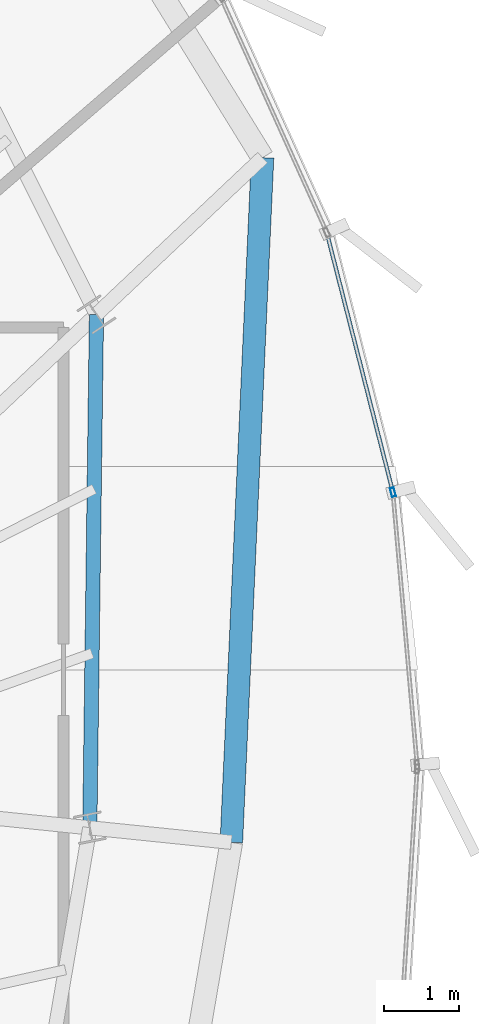
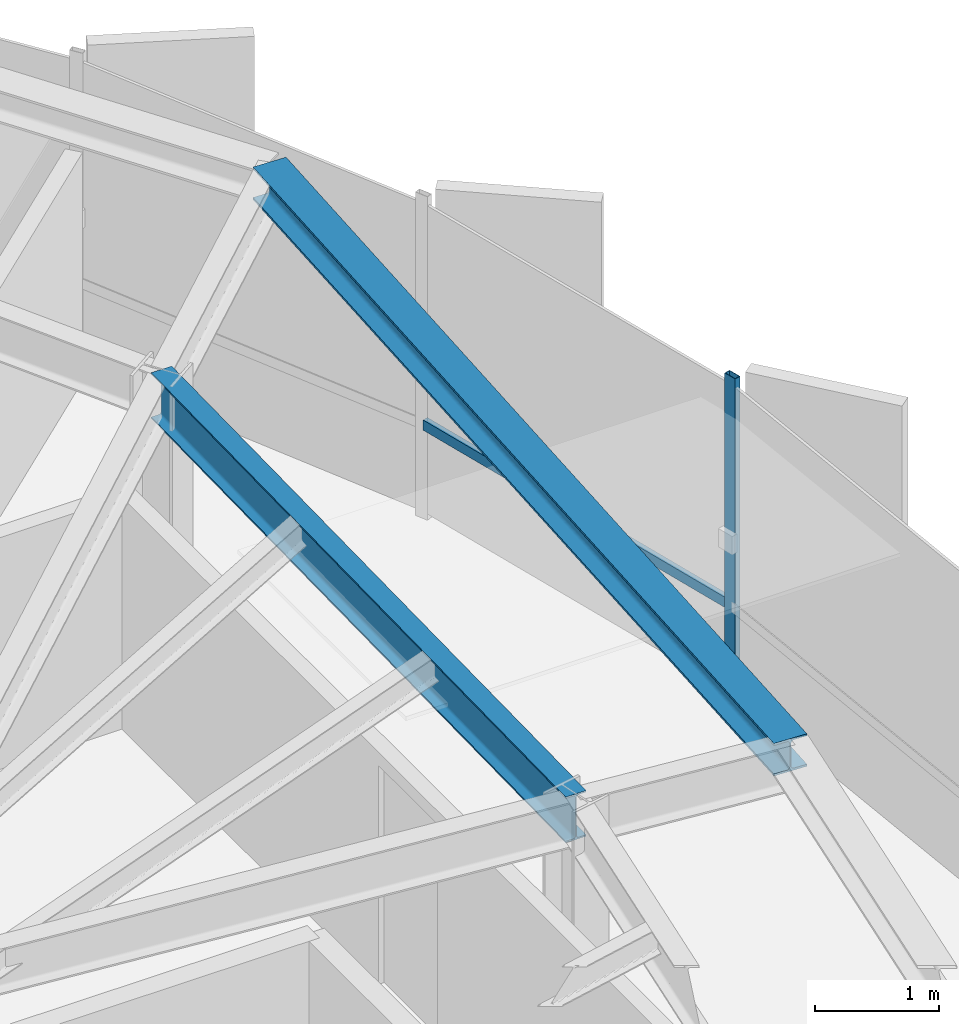
# One storey, part 15 of 30: 2 beams, 2 members, 1 element without a shape of its own.
"""IFC4 building model written with IfcOpenShell, lengths in metres."""

import ifcopenshell
import ifcopenshell.guid

model = None  # the IFC model being written
_history = None  # IfcOwnerHistory: only IFC2X3 demands one
_inside = {}  # id of a spatial element -> (the spatial element, [elements in it])
_under = {}  # id of a project, library or spatial element -> (it, [spatial elements below it])
_declared = {}  # id of a project -> (the project, [libraries it declares])
_typed = {}  # id of a type object -> (the type object, [elements of that type])
_made_of = {}  # id of a material, layer set ... -> (it, [elements and type objects made of it])


def new_model(schema):
    """Start an empty IFC model of exactly this schema.

    Asked for "IFC4X3", IfcOpenShell would pick the latest addendum, in which some entities
    have other attributes; the version numbers below select the first issue.
    IFC2X3 requires an IfcOwnerHistory on every rooted entity: one is made here for all.
    """
    global model, _history
    if schema == "IFC4X3":
        model = ifcopenshell.file(schema_version=(4, 3, 0, 0))
    else:
        model = ifcopenshell.file(schema=schema)
    _inside.clear()
    _under.clear()
    _declared.clear()
    _typed.clear()
    _made_of.clear()
    _history = None
    if model.schema == "IFC2X3":
        org = make("IfcOrganization", Name="unknown")
        user = make(
            "IfcPersonAndOrganization",
            ThePerson=make("IfcPerson", FamilyName="unknown"),
            TheOrganization=org,
        )
        app = make(
            "IfcApplication",
            ApplicationDeveloper=org,
            Version="unknown",
            ApplicationFullName="unknown",
            ApplicationIdentifier="unknown",
        )
        _history = make(
            "IfcOwnerHistory",
            OwningUser=user,
            OwningApplication=app,
            ChangeAction="ADDED",
            CreationDate=0,
        )
    return model


def make(cls, **values):
    """One entity of the class cls with the attributes given. An attribute that is None is left unset."""
    return model.create_entity(
        cls, **{name: value for name, value in values.items() if value is not None}
    )


def rooted(cls, **values):
    """An entity with a GlobalId (a new one), such as an element, a storey or a relation."""
    return make(cls, GlobalId=ifcopenshell.guid.new(), OwnerHistory=_history, **values)


def si_unit(unit_type, name, prefix=None):
    """IfcSIUnit, for example si_unit("LENGTHUNIT", "METRE", prefix="MILLI")."""
    return make("IfcSIUnit", UnitType=unit_type, Prefix=prefix, Name=name)


def assignment(units):
    """IfcUnitAssignment: the units of a project."""
    return None if units is None else make("IfcUnitAssignment", Units=units)


def point(xyz):
    """IfcCartesianPoint."""
    return None if xyz is None else make("IfcCartesianPoint", Coordinates=xyz)


def direction(xyz):
    """IfcDirection."""
    return None if xyz is None else make("IfcDirection", DirectionRatios=xyz)


def frame(location, z_axis=None, x_axis=None):
    """IfcAxis2Placement3D, a coordinate frame: its origin and axes. An axis left out is left unset."""
    return make(
        "IfcAxis2Placement3D",
        Location=point(location),
        Axis=direction(z_axis),
        RefDirection=direction(x_axis),
    )


def frame_2d(location, x_axis=None):
    """IfcAxis2Placement2D, a coordinate frame in the plane: its origin and x axis."""
    return make(
        "IfcAxis2Placement2D", Location=point(location), RefDirection=direction(x_axis)
    )


def origin():
    """The frame at (0, 0, 0) with its axes left unset."""
    return frame((0.0, 0.0, 0.0))


def origin_2d():
    """The frame at (0, 0) in the plane with its x axis left unset."""
    return frame_2d((0.0, 0.0))


def place(relative_to, where):
    """IfcLocalPlacement: puts the frame where relative to a parent placement (None: the world)."""
    return make(
        "IfcLocalPlacement", PlacementRelTo=relative_to, RelativePlacement=where
    )


def context(
    kind, dimensions, precision=None, world=None, true_north=None, identifier=None
):
    """IfcGeometricRepresentationContext, for example the 3D "Model" context."""
    return make(
        "IfcGeometricRepresentationContext",
        ContextIdentifier=identifier,
        ContextType=kind,
        CoordinateSpaceDimension=dimensions,
        Precision=precision,
        WorldCoordinateSystem=world,
        TrueNorth=true_north,
    )


def subcontext(parent, identifier, kind, view, scale=None):
    """IfcGeometricRepresentationSubContext, for example "Body" below "Model"."""
    return make(
        "IfcGeometricRepresentationSubContext",
        ContextIdentifier=identifier,
        ContextType=kind,
        ParentContext=parent,
        TargetScale=scale,
        TargetView=view,
    )


def project(units=None, contexts=None):
    """IfcProject with its units and contexts."""
    return rooted(
        "IfcProject",
        Name="project",
        RepresentationContexts=contexts,
        UnitsInContext=assignment(units),
    )


def spatial(cls, under=None, at=None, **own):
    """A site, building, storey or space (cls), placed at a placement, below another one or the project."""
    s = rooted(cls, ObjectPlacement=at, **own)
    if under is not None:
        _under.setdefault(under.id(), (under, []))[1].append(s)
    return s


def profile(cls, at=None, kind="AREA", **sizes):
    """A parametric profile (cls). Its sizes go by their IFC names, for example OverallWidth=200.0."""
    return make(cls, ProfileType=kind, Position=at, **sizes)


def hollow_rectangle(**sizes):
    """IfcRectangleHollowProfileDef."""
    return profile("IfcRectangleHollowProfileDef", **sizes)


def i_section(**sizes):
    """IfcIShapeProfileDef."""
    return profile("IfcIShapeProfileDef", **sizes)


def extrude(swept, where, along, depth):
    """IfcExtrudedAreaSolid: the profile swept, set in the frame where, extruded along a direction by depth."""
    return make(
        "IfcExtrudedAreaSolid",
        SweptArea=swept,
        Position=where,
        ExtrudedDirection=direction(along),
        Depth=depth,
    )


def shape(context_of_items, identifier, shape_type, items):
    """IfcShapeRepresentation: the items that make up one representation, for example the "Body"."""
    return make(
        "IfcShapeRepresentation",
        ContextOfItems=context_of_items,
        RepresentationIdentifier=identifier,
        RepresentationType=shape_type,
        Items=items,
    )


def source(mapping_origin, context_of_items, identifier, shape_type, items):
    """IfcRepresentationMap: a shape defined once, which mapped items show again and again."""
    return make(
        "IfcRepresentationMap",
        MappingOrigin=mapping_origin,
        MappedRepresentation=shape(context_of_items, identifier, shape_type, items),
    )


def transform(
    local_origin,
    x_axis=None,
    y_axis=None,
    z_axis=None,
    scale=None,
    scale2=None,
    scale3=None,
    uniform=True,
):
    """IfcCartesianTransformationOperator3D, or its non-uniform kind. x_axis, y_axis, z_axis: its Axis1, 2, 3."""
    if uniform:
        return make(
            "IfcCartesianTransformationOperator3D",
            Axis1=direction(x_axis),
            Axis2=direction(y_axis),
            LocalOrigin=point(local_origin),
            Scale=scale,
            Axis3=direction(z_axis),
        )
    return make(
        "IfcCartesianTransformationOperator3DnonUniform",
        Axis1=direction(x_axis),
        Axis2=direction(y_axis),
        LocalOrigin=point(local_origin),
        Scale=scale,
        Axis3=direction(z_axis),
        Scale2=scale2,
        Scale3=scale3,
    )


def mapped(mapping_source, mapping_target):
    """IfcMappedItem: shows the shape of a source again, moved by a transform."""
    return make(
        "IfcMappedItem", MappingSource=mapping_source, MappingTarget=mapping_target
    )


def material(Name=None, Category=None):
    """IfcMaterial."""
    return make("IfcMaterial", Name=Name, Category=Category)


def layer(
    of_material, thickness, ventilated=None, Name=None, Category=None, Priority=None
):
    """IfcMaterialLayer: one layer of a wall or slab, of a material (None: an air gap)."""
    return make(
        "IfcMaterialLayer",
        Material=of_material,
        LayerThickness=thickness,
        IsVentilated=ventilated,
        Name=Name,
        Category=Category,
        Priority=Priority,
    )


def layer_set(layers, Name=None):
    """IfcMaterialLayerSet."""
    return make("IfcMaterialLayerSet", MaterialLayers=layers, LayerSetName=Name)


def material_profile(
    of_material, cross_section, Name=None, Category=None, Priority=None
):
    """IfcMaterialProfile: a cross section and its material."""
    return make(
        "IfcMaterialProfile",
        Name=Name,
        Material=of_material,
        Profile=cross_section,
        Priority=Priority,
        Category=Category,
    )


def profile_set(profiles, Name=None, composite=None):
    """IfcMaterialProfileSet."""
    return make(
        "IfcMaterialProfileSet",
        Name=Name,
        MaterialProfiles=profiles,
        CompositeProfile=composite,
    )


def made_of(thing, what):
    """Note that an element or type object is made of a material, layer set ...; save() writes the relation."""
    if what is not None:
        _made_of.setdefault(what.id(), (what, []))[1].append(thing)
    return thing


def type_object(cls, material=None, **own):
    """A type object (cls), such as IfcWallType, which elements share."""
    return made_of(rooted(cls, **own), material)


def element(
    cls,
    number,
    at=None,
    inside=None,
    cuts=None,
    type_object=None,
    material=None,
    context=None,
    identifier="Body",
    shape_type=None,
    held_by="IfcProductDefinitionShape",
    body=None,
    shapes=None,
    **own,
):
    """One element of the class cls, such as IfcWall. Its Tag is "e" and its number.

    at: its placement. inside: the storey or other place that contains it. cuts: it is an
    opening in that element (IfcRelVoidsElement). A single representation is given by context,
    identifier, shape_type and body (its items); several are given by shapes. held_by: the class
    of the entity that holds the representations. save() writes the other relations.
    """
    e = rooted(cls, Tag="e%d" % number, ObjectPlacement=at, **own)
    if body is not None:
        shapes = [shape(context, identifier, shape_type, body)]
    if shapes is not None:
        e.Representation = make(held_by, Representations=shapes)
    if inside is not None:
        _inside.setdefault(inside.id(), (inside, []))[1].append(e)
    if cuts is not None:
        rooted(
            "IfcRelVoidsElement", RelatingBuildingElement=cuts, RelatedOpeningElement=e
        )
    if type_object is not None:
        _typed.setdefault(type_object.id(), (type_object, []))[1].append(e)
    return made_of(e, material)


def aggregate(whole, parts):
    """IfcRelAggregates: a whole, such as a stair, and the parts it consists of."""
    return rooted("IfcRelAggregates", RelatingObject=whole, RelatedObjects=parts)


def save(model, path):
    """Write the relations noted so far, then the file.

    IfcRelAggregates (storeys below a building ...), IfcRelContainedInSpatialStructure (elements
    in a storey), IfcRelDefinesByType, IfcRelAssociatesMaterial and IfcRelDeclares: one each for
    every whole, place, type object, material and project.
    """
    for whole, parts in _under.values():
        aggregate(whole, parts)
    for where, things in _inside.values():
        rooted(
            "IfcRelContainedInSpatialStructure",
            RelatedElements=things,
            RelatingStructure=where,
        )
    for kind, things in _typed.values():
        rooted("IfcRelDefinesByType", RelatedObjects=things, RelatingType=kind)
    for what, things in _made_of.values():
        rooted("IfcRelAssociatesMaterial", RelatedObjects=things, RelatingMaterial=what)
    for by, libraries in _declared.values():
        rooted("IfcRelDeclares", RelatingContext=by, RelatedDefinitions=libraries)
    model.write(path)


model = new_model("IFC4")

# Units and contexts
model_context = context("Model", 3, precision=1e-05, world=origin(), true_north=direction((0.0, 1.0)))
body_context = subcontext(model_context, "Body", "Model", "MODEL_VIEW")
ifc_project = project(units=[si_unit("LENGTHUNIT", "METRE"), si_unit("AREAUNIT", "SQUARE_METRE"), si_unit("VOLUMEUNIT", "CUBIC_METRE"), si_unit("PLANEANGLEUNIT", "RADIAN"), si_unit("MASSUNIT", "GRAM", prefix="KILO"), si_unit("THERMODYNAMICTEMPERATUREUNIT", "KELVIN")], contexts=[model_context])

# Site, building, storey
site_placement = place(None, origin())
site = spatial("IfcSite", under=ifc_project, at=site_placement, CompositionType="ELEMENT")
building_placement = place(site_placement, origin())
building = spatial("IfcBuilding", under=site, at=building_placement, Name="Kethvar Cultural Tower", CompositionType="ELEMENT")
storey_placement = place(building_placement, frame((0.0, 0.0, 297.39990234375)))
storey = spatial("IfcBuildingStorey", under=building, at=storey_placement, Name="L79", CompositionType="ELEMENT", Elevation=297.39990234375)

# Beams
ifc_material_1 = material(Name="Steel S355J2", Category="steel")
ifc_material_profile_1 = material_profile(ifc_material_1, i_section(OverallWidth=0.18994140625, OverallDepth=0.449951171875, WebThickness=0.009521484375, FlangeThickness=0.0146484375, FilletRadius=0.02099609375, at=origin_2d()), Name="Steel S355J2 — IPE450")
ifc_profile_set_1 = profile_set([ifc_material_profile_1], Name="Steel S355J2 — IPE450")
beam_type_1 = type_object("IfcBeamType", Name="BM-IPE450", PredefinedType="BEAM", material=ifc_profile_set_1)
shared_shape_1 = source(origin(), body_context, "Body", "SweptSolid", [
    extrude(i_section(OverallWidth=0.18994140625, OverallDepth=0.449951171875, WebThickness=0.009521484375, FlangeThickness=0.0146484375, FilletRadius=0.02099609375, at=origin_2d()), origin(), (0.0, 0.0, 1.0), 6.834716796875),
])
beam_1_placement = place(storey_placement, frame((61.237060546875, 30.671630859375, 2.983154296875), z_axis=(0.012966437445, 0.999915932216, 0.0), x_axis=(-0.999915932216, 0.012966437445, 0.0)))
element("IfcBeam", 1, at=beam_1_placement, inside=storey, type_object=beam_type_1, Name="L79 Column Ring Tie Beam CR-01", PredefinedType="BEAM", context=body_context, shape_type="MappedRepresentation", body=[
    mapped(shared_shape_1, transform((0.0, 0.0, 0.0), scale=1.0)),
])
ifc_material_profile_2 = material_profile(ifc_material_1, i_section(OverallWidth=0.300048828125, OverallDepth=0.320068359375, WebThickness=0.011474609375, FlangeThickness=0.0205078125, FilletRadius=0.027099609375, at=origin_2d()), Name="Steel S355J2 — HEB320")
ifc_profile_set_2 = profile_set([ifc_material_profile_2], Name="Steel S355J2 — HEB320")
beam_type_2 = type_object("IfcBeamType", Name="BM-SP320", PredefinedType="SPANDREL", material=ifc_profile_set_2)
shared_shape_2 = source(origin(), body_context, "Body", "SweptSolid", [
    extrude(i_section(OverallWidth=0.300048828125, OverallDepth=0.320068359375, WebThickness=0.011474609375, FlangeThickness=0.0205078125, FilletRadius=0.027099609375, at=origin_2d()), origin(), (0.0, 0.0, 1.0), 9.1240234375),
])
beam_2_placement = place(storey_placement, frame((63.121337890625, 30.478515625, 3.048095703125), z_axis=(0.045515686513, 0.998963624103, 0.0), x_axis=(-0.998963624103, 0.045515686513, 0.0)))
element("IfcBeam", 2, at=beam_2_placement, inside=storey, type_object=beam_type_2, Name="L79 Perimeter Spandrel Beam SP-01", PredefinedType="SPANDREL", context=body_context, shape_type="MappedRepresentation", body=[
    mapped(shared_shape_2, transform((0.0, 0.0, 0.0), scale=1.0)),
])

# Curtain wall, members
ifc_material_2 = material(Name="Aluminium 6063-T6", Category="aluminium")
ifc_layer = layer(ifc_material_2, 0.179931640625, Name="Aluminium 6063-T6", Category="aluminium")
ifc_layer_set = layer_set([ifc_layer], Name="Aluminium 6063-T6 (180 mm)")
curtain_wall_type = type_object("IfcCurtainWallType", Name="CW-SYS-05-Z56", PredefinedType="NOTDEFINED", material=ifc_layer_set)
curtain_wall_placement = place(storey_placement, origin())
curtain_wall = element("IfcCurtainWall", 3, at=curtain_wall_placement, inside=storey, type_object=curtain_wall_type, Name="L79 Curtain Wall Run 06", PredefinedType="NOTDEFINED")
ifc_material_profile_3 = material_profile(ifc_material_2, hollow_rectangle(XDim=0.054931640625, YDim=0.1201171875, WallThickness=0.00390625, at=origin_2d()), Name="Aluminium 6063-T6 — RHS120x55x4")
ifc_profile_set_3 = profile_set([ifc_material_profile_3], Name="Aluminium 6063-T6 — RHS120x55x4")
member_type_1 = type_object("IfcMemberType", Name="CW-SYS-05-Z56-MUL", PredefinedType="MULLION", material=ifc_profile_set_3)
shared_shape_3 = source(origin(), body_context, "Body", "SweptSolid", [
    extrude(hollow_rectangle(XDim=0.054931640625, YDim=0.1201171875, WallThickness=0.00390625, at=origin_2d()), origin(), (0.0, 0.0, 1.0), 3.210205078125),
])
member_1_placement = place(storey_placement, frame((65.2724609375, 35.139892578125, 0.0), z_axis=(0.0, 0.0, 1.0), x_axis=(-0.968994172987, -0.247083574357, 0.0)))
member_1 = element("IfcMember", 4, at=member_1_placement, type_object=member_type_1, Name="CW-L79-R06 Mullion 2", PredefinedType="MULLION", context=body_context, shape_type="MappedRepresentation", body=[
    mapped(shared_shape_3, transform((0.0, 0.0, 0.0), scale=1.0)),
])
ifc_material_profile_4 = material_profile(ifc_material_2, hollow_rectangle(XDim=0.050048828125, YDim=0.10009765625, WallThickness=0.00390625, at=origin_2d()), Name="Aluminium 6063-T6 — RHS100x50x4")
ifc_profile_set_4 = profile_set([ifc_material_profile_4], Name="Aluminium 6063-T6 — RHS100x50x4")
member_type_2 = type_object("IfcMemberType", Name="CW-SYS-05-Z56-TRN", PredefinedType="USERDEFINED", material=ifc_profile_set_4)
shared_shape_4 = source(origin(), body_context, "Body", "SweptSolid", [
    extrude(hollow_rectangle(XDim=0.050048828125, YDim=0.10009765625, WallThickness=0.00390625, at=origin_2d()), origin(), (0.0, 0.0, 1.0), 3.503662109375),
])
member_2_placement = place(storey_placement, frame((65.2626953125, 35.17822265625, 0.9501953125), z_axis=(-0.247090944436, 0.968992293663, 0.0), x_axis=(-0.968992293663, -0.247090944436, 0.0)))
member_2 = element("IfcMember", 5, at=member_2_placement, type_object=member_type_2, Name="CW-L79-R06 Transom 2", ObjectType="TRANSOM", PredefinedType="USERDEFINED", context=body_context, shape_type="MappedRepresentation", body=[
    mapped(shared_shape_4, transform((0.0, 0.0, 0.0), scale=1.0)),
])
aggregate(curtain_wall, [member_1, member_2])

save(model, "model.ifc")
